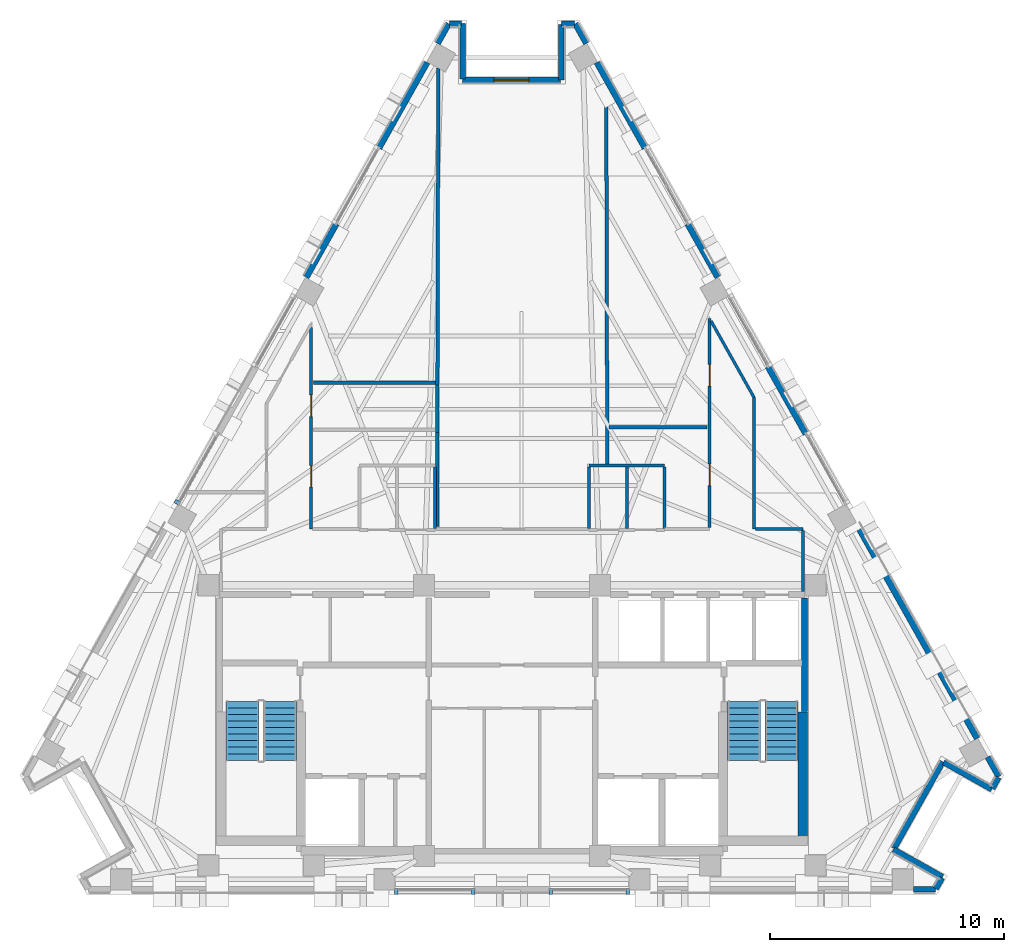
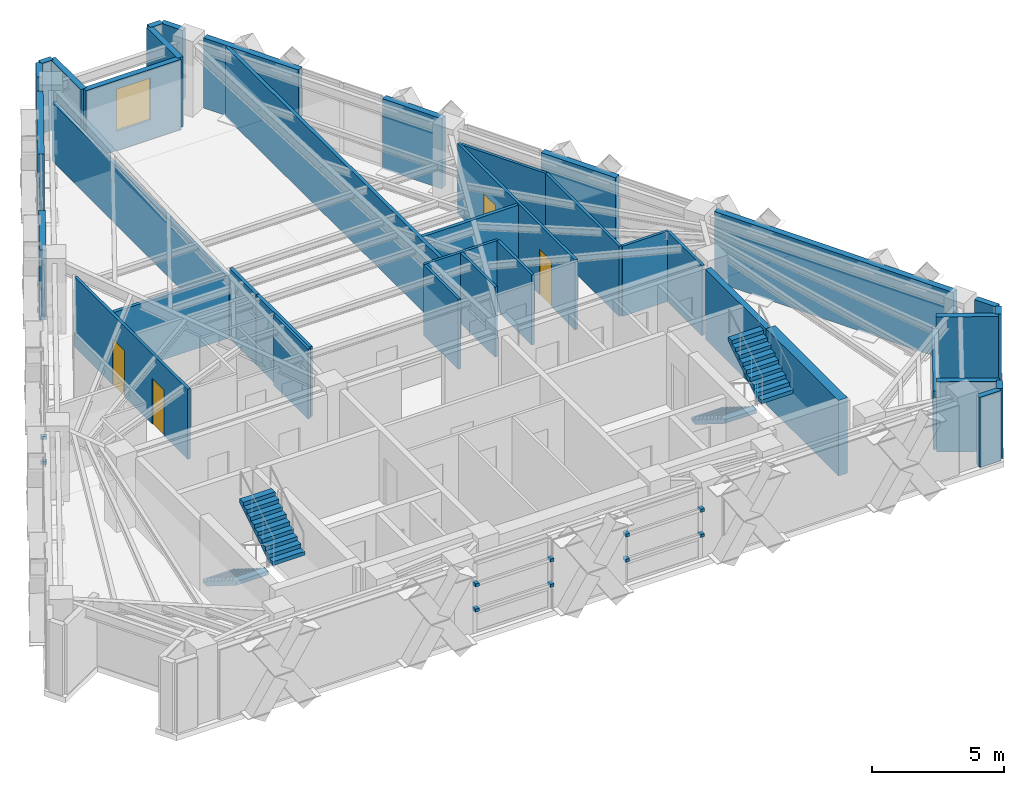
# One storey, part 9 of 13: 39 walls, 10 discrete accessories, 4 doors, 4 stair flights, 1 window, 5 openings, 2 elements without a shape of their own.
"""IFC4 building model written with IfcOpenShell, lengths in metres."""

from ifc_helpers import new_model, si_unit, direction, frame, frame_2d, origin, origin_2d, place, context, subcontext, project, spatial, polyline, rectangle, outline, extrude, material, layer, layer_set, type_object, element, fill, aggregate, save


model = new_model("IFC4")

# Units and contexts
model_context = context("Model", 3, precision=1e-05, world=origin(), true_north=direction((0.0, 1.0)))
body_context = subcontext(model_context, "Body", "Model", "MODEL_VIEW")
ifc_project = project(units=[si_unit("LENGTHUNIT", "METRE"), si_unit("AREAUNIT", "SQUARE_METRE"), si_unit("VOLUMEUNIT", "CUBIC_METRE"), si_unit("PLANEANGLEUNIT", "RADIAN"), si_unit("MASSUNIT", "GRAM", prefix="KILO")], contexts=[model_context])

# Site, building, storey
site_placement = place(None, origin())
site = spatial("IfcSite", under=ifc_project, at=site_placement, CompositionType="ELEMENT")
building_placement = place(site_placement, origin())
building = spatial("IfcBuilding", under=site, at=building_placement, Name="Quenlor Broadcast Tower", CompositionType="ELEMENT")
storey_placement = place(building_placement, frame((0.0, 0.0, 214.89990234375)))
storey = spatial("IfcBuildingStorey", under=building, at=storey_placement, Name="L59", CompositionType="ELEMENT", Elevation=214.89990234375)

# Walls
ifc_material_1 = material(Name="Acoustic Double Stud Gypsum Partition", Category="other")
ifc_layer_1 = layer(ifc_material_1, 0.14990234375)
ifc_layer_set_1 = layer_set([ifc_layer_1], Name="Broadcast Studio Acoustic Partition 150")
wall_type_1 = type_object("IfcWallType", Name="Broadcast Studio Acoustic Partition 150", PredefinedType="PARTITIONING", material=ifc_layer_set_1)
wall_1_placement = place(storey_placement, frame((-3.142822265625, 17.25439453125, 0.0), z_axis=(0.0, 0.0, 1.0), x_axis=(-0.002783390028, -0.999996126362, 0.0)))
element("IfcWall", 1, at=wall_1_placement, inside=storey, type_object=wall_type_1, Name="L59 Interior Wall PW-DV-01", PredefinedType="PARTITIONING", context=body_context, shape_type="SweptSolid", body=[
    extrude(rectangle(XDim=13.5078125, YDim=0.14990234375, at=frame_2d((6.75390625, 0.0))), origin(), (0.0, 0.0, 1.0), 2.721923828125),
])
wall_2_placement = place(storey_placement, frame((-3.257080078125, 3.846435546875, 0.0), z_axis=(0.0, 0.0, 1.0), x_axis=(-1.0, 0.0, 0.0)))
element("IfcWall", 2, at=wall_2_placement, inside=storey, type_object=wall_type_1, Name="L59 Interior Wall PW-DV-02", PredefinedType="PARTITIONING", context=body_context, shape_type="SweptSolid", body=[
    extrude(rectangle(XDim=5.202880859375, YDim=0.14990234375, at=frame_2d((2.6015625, 0.0))), origin(), (0.0, 0.0, 1.0), 2.94287109375),
])
wall_3_placement = place(storey_placement, frame((4.0205078125, 16.524169921875, 0.0), z_axis=(0.0, 0.0, 1.0), x_axis=(0.002705593265, -0.999996339876, 0.0)))
element("IfcWall", 3, at=wall_3_placement, inside=storey, type_object=wall_type_1, Name="L59 Interior Wall PW-DV-03", PredefinedType="PARTITIONING", context=body_context, shape_type="SweptSolid", body=[
    extrude(rectangle(XDim=16.152099609375, YDim=0.14990234375, at=frame_2d((8.076171875, 0.0))), origin(), (0.0, 0.0, 1.0), 3.25),
])
wall_4_placement = place(storey_placement, frame((-3.179931640625, 1.72412109375, 0.0), z_axis=(0.0, 0.0, 1.0), x_axis=(0.0, 1.0, 0.0)))
element("IfcWall", 4, at=wall_4_placement, inside=storey, type_object=wall_type_1, Name="L59 Interior Wall PW-DV-04", PredefinedType="PARTITIONING", context=body_context, shape_type="SweptSolid", body=[
    extrude(rectangle(XDim=2.020263671875, YDim=0.14990234375, at=frame_2d((1.01025390625, 0.0))), origin(), (0.0, 0.0, 1.0), 3.25),
])
wall_5_placement = place(storey_placement, frame((-3.179931640625, -2.2900390625, 0.0), z_axis=(0.0, 0.0, 1.0), x_axis=(0.0, 1.0, 0.0)))
element("IfcWall", 5, at=wall_5_placement, inside=storey, type_object=wall_type_1, Name="L59 Interior Wall PW-DV-05", PredefinedType="PARTITIONING", context=body_context, shape_type="SweptSolid", body=[
    extrude(rectangle(XDim=4.01220703125, YDim=0.14990234375, at=frame_2d((2.006103515625, 0.0))), origin(), (0.0, 0.0, 1.0), 3.25),
])
wall_6_placement = place(storey_placement, frame((8.320068359375, 1.948486328125, 0.0), z_axis=(0.0, 0.0, 1.0), x_axis=(-1.0, 0.0, 0.0)))
element("IfcWall", 6, at=wall_6_placement, inside=storey, type_object=wall_type_1, Name="L59 Interior Wall PW-DV-07", PredefinedType="PARTITIONING", context=body_context, shape_type="SweptSolid", body=[
    extrude(rectangle(XDim=4.18310546875, YDim=0.14990234375, at=frame_2d((2.091552734375, 0.0))), origin(), (0.0, 0.0, 1.0), 3.25),
])
ifc_material_2 = material(Name="Concrete C50/60", Category="concrete")
ifc_layer_2 = layer(ifc_material_2, 0.39990234375)
ifc_layer_set_2 = layer_set([ifc_layer_2], Name="Core Concrete C50/60 Shear Wall 400")
wall_type_2 = type_object("IfcWallType", Name="Core Concrete C50/60 Shear Wall 400", PredefinedType="SHEAR", material=ifc_layer_set_2)
wall_7_placement = place(storey_placement, frame((12.39990234375, -15.699951171875, 0.0), z_axis=(0.0, 0.0, 1.0), x_axis=(0.0, 1.0, 0.0)))
element("IfcWall", 7, at=wall_7_placement, inside=storey, type_object=wall_type_2, Name="L59 Core Shear Wall WF-E", PredefinedType="SHEAR", context=body_context, shape_type="SweptSolid", body=[
    extrude(rectangle(XDim=5.5, YDim=0.39990234375, at=frame_2d((2.75, 0.0))), origin(), (0.0, 0.0, 1.0), 3.5),
])
ifc_material_3 = material(Name="Concrete C40/50", Category="concrete")
ifc_layer_3 = layer(ifc_material_3, 0.25)
ifc_layer_set_3 = layer_set([ifc_layer_3], Name="Fire Rated Concrete C40/50 Core Wall 250")
wall_type_3 = type_object("IfcWallType", Name="Fire Rated Concrete C40/50 Core Wall 250", PredefinedType="PARTITIONING", material=ifc_layer_set_3)
wall_8_placement = place(storey_placement, frame((12.47998046875, -10.179931640625, 0.0), z_axis=(0.0, 0.0, 1.0), x_axis=(0.0, 1.0, 0.0)))
element("IfcWall", 8, at=wall_8_placement, inside=storey, type_object=wall_type_3, Name="L59 Interior Wall CW-ST2-E2", PredefinedType="PARTITIONING", context=body_context, shape_type="SweptSolid", body=[
    extrude(rectangle(XDim=4.83984375, YDim=0.25, at=frame_2d((2.419921875, 0.0))), origin(), (0.0, 0.0, 1.0), 3.25),
])
ifc_material_4 = material(Name="Gypsum Plasterboard Partition", Category="other")
ifc_layer_4 = layer(ifc_material_4, 0.1201171875)
ifc_layer_set_4 = layer_set([ifc_layer_4], Name="Standard Office Partition 120")
wall_type_4 = type_object("IfcWallType", Name="Standard Office Partition 120", PredefinedType="PARTITIONING", material=ifc_layer_set_4)
wall_9_placement = place(storey_placement, frame((-3.2900390625, -2.3779296875, 0.0), z_axis=(0.0, 0.0, 1.0), x_axis=(0.0, 1.0, 0.0)))
element("IfcWall", 9, at=wall_9_placement, inside=storey, type_object=wall_type_4, Name="L59 Interior Wall PW-WCW-E", PredefinedType="PARTITIONING", context=body_context, shape_type="SweptSolid", body=[
    extrude(rectangle(XDim=2.6259765625, YDim=0.1201171875, at=frame_2d((1.31298828125, 0.0))), origin(), (0.0, 0.0, 1.0), 3.25),
])
wall_10_placement = place(storey_placement, frame((3.2900390625, 0.31005859375, 0.0), z_axis=(0.0, 0.0, 1.0), x_axis=(1.0, 0.0, 0.0)))
element("IfcWall", 10, at=wall_10_placement, inside=storey, type_object=wall_type_4, Name="L59 Interior Wall PW-WCE-N", PredefinedType="PARTITIONING", context=body_context, shape_type="SweptSolid", body=[
    extrude(rectangle(XDim=3.219970703125, YDim=0.1201171875, at=frame_2d((1.60986328125, 0.0))), origin(), (0.0, 0.0, 1.0), 3.25),
])
for number, where, z_axis, x_axis, name in (
    (11, (3.2900390625, -2.3779296875, 0.0), (0.0, 0.0, 1.0), (0.0, 1.0, 0.0), "L59 Interior Wall PW-WCE-W"),
    (12, (4.89990234375, -2.3779296875, 0.0), (0.0, 0.0, 1.0), (0.0, 1.0, 0.0), "L59 Interior Wall PW-WCE-M"),
    (13, (6.510009765625, -2.3779296875, 0.0), (0.0, 0.0, 1.0), (0.0, 1.0, 0.0), "L59 Interior Wall PW-WCE-E"),
):
    element("IfcWall", number, at=place(storey_placement, frame(where, z_axis=z_axis, x_axis=x_axis)), inside=storey, type_object=wall_type_4, Name=name, PredefinedType="PARTITIONING", context=body_context, shape_type="SweptSolid", body=[
        extrude(rectangle(XDim=2.6259765625, YDim=0.1201171875, at=frame_2d((1.31298828125, 0.0))), origin(), (0.0, 0.0, 1.0), 3.25),
    ])

# Wall, openings, doors
wall_11_placement = place(storey_placement, frame((-8.570068359375, 6.20263671875, 0.0), z_axis=(0.0, 0.0, 1.0), x_axis=(0.0, -1.0, 0.0)))
wall_11 = element("IfcWall", 14, at=wall_11_placement, inside=storey, type_object=wall_type_4, Name="L59 Interior Wall PW-CR-05", PredefinedType="PARTITIONING", context=body_context, shape_type="SweptSolid", body=[
    extrude(rectangle(XDim=8.6025390625, YDim=0.1201171875, at=frame_2d((4.30126953125, 0.0))), origin(), (0.0, 0.0, 1.0), 3.25),
])
opening_1_placement = place(wall_11_placement, frame((2.886962890625, 0.0, 0.0)))
opening_1 = element("IfcOpeningElement", 15, at=opening_1_placement, cuts=wall_11, Name="Opening ID-1", PredefinedType="OPENING", context=body_context, shape_type="SweptSolid", body=[
    extrude(rectangle(XDim=0.919921875, YDim=2.1201171875, at=frame_2d((0.4599609375, 1.06005859375))), frame((0.0, 0.070068359375, 0.0), z_axis=(0.0, -1.0, 0.0), x_axis=(1.0, 0.0, 0.0)), (0.0, 0.0, 1.0), 0.14013671875),
])
opening_2_placement = place(wall_11_placement, frame((5.90087890625, 0.0, 0.0)))
opening_2 = element("IfcOpeningElement", 16, at=opening_2_placement, cuts=wall_11, Name="Opening ID-1", PredefinedType="OPENING", context=body_context, shape_type="SweptSolid", body=[
    extrude(rectangle(XDim=0.919921875, YDim=2.1201171875, at=frame_2d((0.4599609375, 1.06005859375))), frame((0.0, 0.070068359375, 0.0), z_axis=(0.0, -1.0, 0.0), x_axis=(1.0, 0.0, 0.0)), (0.0, 0.0, 1.0), 0.14013671875),
])
ifc_material_5 = material(Name="Solid Core Timber Oak", Category="wood")
door_type = type_object("IfcDoorType", Name="Single Leaf Timber Office Door 920x2120", OperationType="NOTDEFINED", PredefinedType="DOOR", material=ifc_material_5)
door_1_placement = place(opening_1_placement, origin())
door_1 = element("IfcDoor", 17, at=door_1_placement, inside=storey, type_object=door_type, Name="L59 Door DR-RM04", OperationType="SINGLE_SWING_LEFT", OverallHeight=2.1201171875, OverallWidth=0.919921875, PredefinedType="DOOR", context=body_context, shape_type="SweptSolid", body=[
    extrude(rectangle(XDim=0.919921875, YDim=2.1201171875, at=frame_2d((0.4599609375, 1.06005859375))), frame((0.0, 0.02490234375, 0.0), z_axis=(0.0, -1.0, 0.0), x_axis=(1.0, 0.0, 0.0)), (0.0, 0.0, 1.0), 0.050048828125),
])
fill(opening_1, door_1)
door_2_placement = place(opening_2_placement, origin())
door_2 = element("IfcDoor", 18, at=door_2_placement, inside=storey, type_object=door_type, Name="L59 Door DR-RM06", OperationType="SINGLE_SWING_LEFT", OverallHeight=2.1201171875, OverallWidth=0.919921875, PredefinedType="DOOR", context=body_context, shape_type="SweptSolid", body=[
    extrude(rectangle(XDim=0.919921875, YDim=2.1201171875, at=frame_2d((0.4599609375, 1.06005859375))), frame((0.0, 0.02490234375, 0.0), z_axis=(0.0, -1.0, 0.0), x_axis=(1.0, 0.0, 0.0)), (0.0, 0.0, 1.0), 0.050048828125),
])
fill(opening_2, door_2)

wall_12_placement = place(storey_placement, frame((8.429931640625, -2.337890625, 0.0), z_axis=(0.0, 0.0, 1.0), x_axis=(0.0, 1.0, 0.0)))
wall_12 = element("IfcWall", 19, at=wall_12_placement, inside=storey, type_object=wall_type_4, Name="L59 Interior Wall PW-CR-07", PredefinedType="PARTITIONING", context=body_context, shape_type="SweptSolid", body=[
    extrude(rectangle(XDim=8.916015625, YDim=0.1201171875, at=frame_2d((4.4580078125, 0.0))), origin(), (0.0, 0.0, 1.0), 3.25),
])
opening_3_placement = place(wall_12_placement, frame((6.031982421875, 0.0, 0.0)))
opening_3 = element("IfcOpeningElement", 20, at=opening_3_placement, cuts=wall_12, Name="Opening ID-1", PredefinedType="OPENING", context=body_context, shape_type="SweptSolid", body=[
    extrude(rectangle(XDim=0.919921875, YDim=2.1201171875, at=frame_2d((0.4599609375, 1.06005859375))), frame((0.0, 0.070068359375, 0.0), z_axis=(0.0, -1.0, 0.0), x_axis=(1.0, 0.0, 0.0)), (0.0, 0.0, 1.0), 0.14013671875),
])
opening_4_placement = place(wall_12_placement, frame((1.781982421875, 0.0, 0.0)))
opening_4 = element("IfcOpeningElement", 21, at=opening_4_placement, cuts=wall_12, Name="Opening ID-1", PredefinedType="OPENING", context=body_context, shape_type="SweptSolid", body=[
    extrude(rectangle(XDim=0.919921875, YDim=2.1201171875, at=frame_2d((0.4599609375, 1.06005859375))), frame((0.0, 0.070068359375, 0.0), z_axis=(0.0, -1.0, 0.0), x_axis=(1.0, 0.0, 0.0)), (0.0, 0.0, 1.0), 0.14013671875),
])
door_3_placement = place(opening_3_placement, origin())
door_3 = element("IfcDoor", 22, at=door_3_placement, inside=storey, type_object=door_type, Name="L59 Door DR-RM03", OperationType="SINGLE_SWING_RIGHT", OverallHeight=2.1201171875, OverallWidth=0.919921875, PredefinedType="DOOR", context=body_context, shape_type="SweptSolid", body=[
    extrude(rectangle(XDim=0.919921875, YDim=2.1201171875, at=frame_2d((0.4599609375, 1.06005859375))), frame((0.0, 0.02490234375, 0.0), z_axis=(0.0, -1.0, 0.0), x_axis=(1.0, 0.0, 0.0)), (0.0, 0.0, 1.0), 0.050048828125),
])
fill(opening_3, door_3)
door_4_placement = place(opening_4_placement, origin())
door_4 = element("IfcDoor", 23, at=door_4_placement, inside=storey, type_object=door_type, Name="L59 Door DR-RM07", OperationType="SINGLE_SWING_RIGHT", OverallHeight=2.1201171875, OverallWidth=0.919921875, PredefinedType="DOOR", context=body_context, shape_type="SweptSolid", body=[
    extrude(rectangle(XDim=0.919921875, YDim=2.1201171875, at=frame_2d((0.4599609375, 1.06005859375))), frame((0.0, 0.02490234375, 0.0), z_axis=(0.0, -1.0, 0.0), x_axis=(1.0, 0.0, 0.0)), (0.0, 0.0, 1.0), 0.050048828125),
])
fill(opening_4, door_4)

# Walls
wall_13_placement = place(storey_placement, frame((8.491943359375, 6.468017578125, 0.0), z_axis=(0.0, 0.0, 1.0), x_axis=(0.49025814807, -0.871577276121, 0.0)))
element("IfcWall", 24, at=wall_13_placement, inside=storey, type_object=wall_type_4, Name="L59 Interior Wall PW-CR-08", PredefinedType="PARTITIONING", context=body_context, shape_type="SweptSolid", body=[
    extrude(rectangle(XDim=3.749267578125, YDim=0.1201171875, at=frame_2d((1.87451171875, 0.0))), origin(), (0.0, 0.0, 1.0), 3.25),
])
wall_14_placement = place(storey_placement, frame((10.330078125, 3.197998046875, 0.0), z_axis=(0.0, 0.0, 1.0), x_axis=(0.0, -1.0, 0.0)))
element("IfcWall", 25, at=wall_14_placement, inside=storey, type_object=wall_type_4, Name="L59 Interior Wall PW-CR-09", PredefinedType="PARTITIONING", context=body_context, shape_type="SweptSolid", body=[
    extrude(rectangle(XDim=5.597900390625, YDim=0.1201171875, at=frame_2d((2.798828125, 0.0))), origin(), (0.0, 0.0, 1.0), 3.25),
])
wall_15_placement = place(storey_placement, frame((10.39208984375, -2.39990234375, 0.0), z_axis=(0.0, 0.0, 1.0), x_axis=(1.0, 0.0, 0.0)))
element("IfcWall", 26, at=wall_15_placement, inside=storey, type_object=wall_type_4, Name="L59 Interior Wall PW-CR-10", PredefinedType="PARTITIONING", context=body_context, shape_type="SweptSolid", body=[
    extrude(rectangle(XDim=2.017822265625, YDim=0.1201171875, at=frame_2d((1.0087890625, 0.0))), origin(), (0.0, 0.0, 1.0), 3.25),
])
wall_16_placement = place(storey_placement, frame((12.409912109375, -2.4619140625, 0.0), z_axis=(0.0, 0.0, 1.0), x_axis=(0.0, -1.0, 0.0)))
element("IfcWall", 27, at=wall_16_placement, inside=storey, type_object=wall_type_4, Name="L59 Interior Wall PW-CR-11", PredefinedType="PARTITIONING", context=body_context, shape_type="SweptSolid", body=[
    extrude(rectangle(XDim=2.611083984375, YDim=0.1201171875, at=frame_2d((1.3056640625, 0.0))), origin(), (0.0, 0.0, 1.0), 3.25),
])
ifc_material_6 = material(Name="Precast concrete C40/50", Category="concrete")
ifc_layer_5 = layer(ifc_material_6, 0.239990234375)
ifc_layer_set_5 = layer_set([ifc_layer_5], Name="Terrace Threshold Precast Concrete C40/50 Wall 240")
wall_type_5 = type_object("IfcWallType", Name="Terrace Threshold Precast Concrete C40/50 Wall 240", PredefinedType="STANDARD", material=ifc_layer_set_5)
wall_17_placement = place(storey_placement, frame((18.06591796875, -17.77490234375, 0.0), z_axis=(0.0, 0.0, 1.0), x_axis=(-1.0, 0.0, 0.0)))
element("IfcWall", 28, at=wall_17_placement, inside=storey, type_object=wall_type_5, Name="L59 Exterior Wall L59-SHD-SS0", PredefinedType="STANDARD", context=body_context, shape_type="SweptSolid", body=[
    extrude(rectangle(XDim=0.93505859375, YDim=0.239990234375, at=frame_2d((0.467529296875, 0.0))), origin(), (0.0, 0.0, 1.0), 3.25),
])
for number, where, z_axis, x_axis, name in (
    (29, (2.6953125, 19.1494140625, 0.0), (0.0, 0.0, 1.0), (0.490345412687, -0.87152818443, 0.0), "L59 Exterior Wall L59-SHD-NES0"),
    (30, (20.289794921875, -12.1298828125, 0.0), (0.0, 0.0, 1.0), (0.490345412687, -0.87152818443, 0.0), "L59 Exterior Wall L59-SHD-NES1"),
    (31, (-3.16796875, 18.309326171875, 0.0), (0.0, 0.0, 1.0), (0.490345412687, 0.87152818443, 0.0), "L59 Exterior Wall L59-SHD-NWS1"),
):
    element("IfcWall", number, at=place(storey_placement, frame(where, z_axis=z_axis, x_axis=x_axis)), inside=storey, type_object=wall_type_5, Name=name, PredefinedType="STANDARD", context=body_context, shape_type="SweptSolid", body=[
        extrude(rectangle(XDim=0.9638671875, YDim=0.239990234375, at=frame_2d((0.48193359375, 0.0))), origin(), (0.0, 0.0, 1.0), 3.25),
    ])
wall_18_placement = place(storey_placement, frame((18.365966796875, -17.246826171875, 0.0), z_axis=(0.0, 0.0, 1.0), x_axis=(-0.871597270235, 0.490222600988, 0.0)))
element("IfcWall", 32, at=wall_18_placement, inside=storey, type_object=wall_type_5, Name="L59 Exterior Wall L59-CNR-01", PredefinedType="STANDARD", context=body_context, shape_type="SweptSolid", body=[
    extrude(rectangle(XDim=2.39990234375, YDim=0.239990234375, at=frame_2d((1.199951171875, 0.0))), origin(), (0.0, 0.0, 1.0), 3.25),
])
wall_19_placement = place(storey_placement, frame((16.293701171875, -16.035400390625, 0.0), z_axis=(0.0, 0.0, 1.0), x_axis=(0.49027487746, 0.871567865706, 0.0)))
element("IfcWall", 33, at=wall_19_placement, inside=storey, type_object=wall_type_5, Name="L59 Exterior Wall L59-CNR-02", PredefinedType="STANDARD", context=body_context, shape_type="SweptSolid", body=[
    extrude(rectangle(XDim=4.249755859375, YDim=0.239990234375, at=frame_2d((2.125, 0.0))), origin(), (0.0, 0.0, 1.0), 2.721923828125),
])
wall_20_placement = place(storey_placement, frame((18.412109375, -12.351318359375, 0.0), z_axis=(0.0, 0.0, 1.0), x_axis=(0.871578299909, -0.490256327984, 0.0)))
element("IfcWall", 34, at=wall_20_placement, inside=storey, type_object=wall_type_5, Name="L59 Exterior Wall L59-CNR-03", PredefinedType="STANDARD", context=body_context, shape_type="SweptSolid", body=[
    extrude(rectangle(XDim=2.35986328125, YDim=0.239990234375, at=frame_2d((1.179931640625, 0.0))), origin(), (0.0, 0.0, 1.0), 3.25),
])
wall_21_placement = place(storey_placement, frame((20.48876953125, -13.473388671875, 0.0), z_axis=(0.0, 0.0, 1.0), x_axis=(0.490133374867, 0.87164744871, 0.0)))
element("IfcWall", 35, at=wall_21_placement, inside=storey, type_object=wall_type_5, Name="L59 Exterior Wall L59-CNR-04", PredefinedType="STANDARD", context=body_context, shape_type="SweptSolid", body=[
    extrude(rectangle(XDim=0.5439453125, YDim=0.239990234375, at=frame_2d((0.27197265625, 0.0))), origin(), (0.0, 0.0, 1.0), 3.25),
])
wall_22_placement = place(storey_placement, frame((2.658447265625, 19.152099609375, 0.0), z_axis=(0.0, 0.0, 1.0), x_axis=(-1.0, 0.0, 0.0)))
element("IfcWall", 36, at=wall_22_placement, inside=storey, type_object=wall_type_5, Name="L59 Exterior Wall L59-CNR-06", PredefinedType="STANDARD", context=body_context, shape_type="SweptSolid", body=[
    extrude(rectangle(XDim=0.55224609375, YDim=0.239990234375, at=frame_2d((0.276123046875, 0.0))), origin(), (0.0, 0.0, 1.0), 3.25),
])
wall_23_placement = place(storey_placement, frame((2.106201171875, 19.112060546875, 0.0), z_axis=(0.0, 0.0, 1.0), x_axis=(0.0, -1.0, 0.0)))
element("IfcWall", 37, at=wall_23_placement, inside=storey, type_object=wall_type_5, Name="L59 Exterior Wall L59-CNR-07", PredefinedType="STANDARD", context=body_context, shape_type="SweptSolid", body=[
    extrude(rectangle(XDim=2.360107421875, YDim=0.239990234375, at=frame_2d((1.18017578125, 0.0))), origin(), (0.0, 0.0, 1.0), 3.25),
])

# Wall, opening, window
wall_24_placement = place(storey_placement, frame((2.066162109375, 16.751953125, 0.0), z_axis=(0.0, 0.0, 1.0), x_axis=(-1.0, 0.0, 0.0)))
wall_24 = element("IfcWall", 38, at=wall_24_placement, inside=storey, type_object=wall_type_5, Name="L59 Exterior Wall L59-CNR-08", PredefinedType="STANDARD", context=body_context, shape_type="SweptSolid", body=[
    extrude(rectangle(XDim=4.17236328125, YDim=0.239990234375, at=frame_2d((2.086181640625, 0.0))), origin(), (0.0, 0.0, 1.0), 3.25),
])
opening_5_placement = place(wall_24_placement, frame((1.3359375, 0.0, 0.89990234375)))
opening_5 = element("IfcOpeningElement", 39, at=opening_5_placement, cuts=wall_24, Name="Opening WN-3", PredefinedType="OPENING", context=body_context, shape_type="SweptSolid", body=[
    extrude(rectangle(XDim=1.5, YDim=1.949951171875, at=frame_2d((0.75, 0.97509765625))), frame((0.0, 0.1298828125, 0.0), z_axis=(0.0, -1.0, 0.0), x_axis=(1.0, 0.0, 0.0)), (0.0, 0.0, 1.0), 0.260009765625),
])
ifc_material_7 = material(Name="Thermally Broken Aluminium and Low-E Glass", Category="aluminium")
window_type = type_object("IfcWindowType", Name="Upper Tower Facade Window 1500x1950", PartitioningType="SINGLE_PANEL", PredefinedType="WINDOW", material=ifc_material_7)
window_placement = place(opening_5_placement, origin())
window = element("IfcWindow", 40, at=window_placement, inside=storey, type_object=window_type, Name="L59 Corner Chamfer Window 8", OverallHeight=1.949951171875, OverallWidth=1.5, PartitioningType="SINGLE_PANEL", PredefinedType="WINDOW", context=body_context, shape_type="SweptSolid", body=[
    extrude(rectangle(XDim=1.5, YDim=1.949951171875, at=frame_2d((0.75, 0.97509765625))), frame((0.0, 0.030029296875, 0.0), z_axis=(0.0, -1.0, 0.0), x_axis=(1.0, 0.0, 0.0)), (0.0, 0.0, 1.0), 0.06005859375),
])
fill(opening_5, window)

# Walls
wall_25_placement = place(storey_placement, frame((-2.106201171875, 16.7919921875, 0.0), z_axis=(0.0, 0.0, 1.0), x_axis=(0.0, 1.0, 0.0)))
element("IfcWall", 41, at=wall_25_placement, inside=storey, type_object=wall_type_5, Name="L59 Exterior Wall L59-CNR-09", PredefinedType="STANDARD", context=body_context, shape_type="SweptSolid", body=[
    extrude(rectangle(XDim=2.360107421875, YDim=0.239990234375, at=frame_2d((1.18017578125, 0.0))), origin(), (0.0, 0.0, 1.0), 3.25),
])
wall_26_placement = place(storey_placement, frame((-2.146240234375, 19.152099609375, 0.0), z_axis=(0.0, 0.0, 1.0), x_axis=(-1.0, 0.0, 0.0)))
element("IfcWall", 42, at=wall_26_placement, inside=storey, type_object=wall_type_5, Name="L59 Exterior Wall L59-CNR-10", PredefinedType="STANDARD", context=body_context, shape_type="SweptSolid", body=[
    extrude(rectangle(XDim=0.51220703125, YDim=0.239990234375, at=frame_2d((0.256103515625, 0.0))), origin(), (0.0, 0.0, 1.0), 3.25),
])
wall_27_placement = place(storey_placement, frame((18.081298828125, -17.752685546875, 0.0), z_axis=(0.0, 0.0, 1.0), x_axis=(0.490582915772, 0.871394516136, 0.0)))
element("IfcWall", 43, at=wall_27_placement, inside=storey, type_object=wall_type_5, Name="L59 Exterior Wall L59-CNR-18", PredefinedType="STANDARD", context=body_context, shape_type="SweptSolid", body=[
    extrude(rectangle(XDim=0.54052734375, YDim=0.239990234375, at=frame_2d((0.270263671875, 0.0))), origin(), (0.0, 0.0, 1.0), 3.25),
])
ifc_material_8 = material(Name="Precast concrete C40/50", Category="concrete")
ifc_layer_6 = layer(ifc_material_8, 0.260009765625)
ifc_layer_set_6 = layer_set([ifc_layer_6], Name="Terracotta Precast Concrete C40/50 Upper Wall 260")
wall_type_6 = type_object("IfcWallType", Name="Terracotta Precast Concrete C40/50 Upper Wall 260", PredefinedType="STANDARD", material=ifc_layer_set_6)
wall_28_placement = place(storey_placement, frame((3.623779296875, 17.498779296875, 0.0), z_axis=(0.0, 0.0, 1.0), x_axis=(0.490275081837, -0.87156775074, 0.0)))
element("IfcWall", 44, at=wall_28_placement, inside=storey, type_object=wall_type_6, Name="L59 Exterior Wall L59-NEA-SP1", PredefinedType="STANDARD", context=body_context, shape_type="SweptSolid", body=[
    extrude(rectangle(XDim=4.18701171875, YDim=0.260009765625, at=frame_2d((2.093505859375, 0.0))), origin(), (0.0, 0.0, 1.0), 3.25),
])
wall_29_placement = place(storey_placement, frame((7.493896484375, 10.618408203125, 0.0), z_axis=(0.0, 0.0, 1.0), x_axis=(0.490301099378, -0.871553114818, 0.0)))
element("IfcWall", 45, at=wall_29_placement, inside=storey, type_object=wall_type_6, Name="L59 Exterior Wall L59-NEA-SP2", PredefinedType="STANDARD", context=body_context, shape_type="SweptSolid", body=[
    extrude(rectangle(XDim=2.6171875, YDim=0.260009765625, at=frame_2d((1.30859375, 0.0))), origin(), (0.0, 0.0, 1.0), 3.25),
])
wall_30_placement = place(storey_placement, frame((14.6708984375, -2.140380859375, 0.0), z_axis=(0.0, 0.0, 1.0), x_axis=(0.490246958575, -0.871583570066, 0.0)))
element("IfcWall", 46, at=wall_30_placement, inside=storey, type_object=wall_type_6, Name="L59 Exterior Wall L59-EW-NEC", PredefinedType="STANDARD", context=body_context, shape_type="SweptSolid", body=[
    extrude(rectangle(XDim=10.551513671875, YDim=0.260009765625, at=frame_2d((5.27587890625, 0.0))), origin(), (0.0, 0.0, 1.0), 3.25),
])
wall_31_placement = place(storey_placement, frame((10.923095703125, 4.522216796875, 0.0), z_axis=(0.0, 0.0, 1.0), x_axis=(0.490264765862, -0.871573553611, 0.0)))
element("IfcWall", 47, at=wall_31_placement, inside=storey, type_object=wall_type_6, Name="L59 Exterior Wall L59-NE-SP1", PredefinedType="STANDARD", context=body_context, shape_type="SweptSolid", body=[
    extrude(rectangle(XDim=3.287109375, YDim=0.260009765625, at=frame_2d((1.6435546875, 0.0))), origin(), (0.0, 0.0, 1.0), 3.25),
])
wall_32_placement = place(storey_placement, frame((-8.777099609375, 8.33740234375, 0.0), z_axis=(0.0, 0.0, 1.0), x_axis=(0.490301099378, 0.871553114818, 0.0)))
element("IfcWall", 48, at=wall_32_placement, inside=storey, type_object=wall_type_6, Name="L59 Exterior Wall L59-NWC-SP1", PredefinedType="STANDARD", context=body_context, shape_type="SweptSolid", body=[
    extrude(rectangle(XDim=2.6171875, YDim=0.260009765625, at=frame_2d((1.30859375, 0.0))), origin(), (0.0, 0.0, 1.0), 3.25),
])
wall_33_placement = place(storey_placement, frame((-5.676513671875, 13.849609375, 0.0), z_axis=(0.0, 0.0, 1.0), x_axis=(0.490275081837, 0.87156775074, 0.0)))
element("IfcWall", 49, at=wall_33_placement, inside=storey, type_object=wall_type_6, Name="L59 Exterior Wall L59-NWC-SP2", PredefinedType="STANDARD", context=body_context, shape_type="SweptSolid", body=[
    extrude(rectangle(XDim=4.18701171875, YDim=0.260009765625, at=frame_2d((2.093505859375, 0.0))), origin(), (0.0, 0.0, 1.0), 3.25),
])

# Stair, stair flights
ifc_material_9 = material(Name="Precast concrete C40/50", Category="concrete")
stair_type = type_object("IfcStairType", Name="Precast Concrete C40/50 Dogleg Stair H350", PredefinedType="HALF_TURN_STAIR", material=ifc_material_9)
stair_1_placement = place(storey_placement, origin())
stair_1 = element("IfcStair", 50, at=stair_1_placement, inside=storey, type_object=stair_type, Name="L59 West Core Fire-Isolated Exit Stair ST-1", PredefinedType="HALF_TURN_STAIR")
ifc_material_10 = material(Name="Precast concrete C40/50", Category="concrete")
ifc_layer_7 = layer(ifc_material_10, 0.159912109375)
ifc_layer_set_7 = layer_set([ifc_layer_7], Name="Precast Concrete C40/50 Stair Flight H350")
stair_flight_type = type_object("IfcStairFlightType", Name="Precast Concrete C40/50 Stair Flight H350", PredefinedType="STRAIGHT", material=ifc_layer_set_7)
stair_flight_1_placement = place(storey_placement, frame((-11.5, -9.75, 0.0), z_axis=(0.0, 0.0, 1.0), x_axis=(0.0, -1.0, 0.0)))
stair_flight_1 = element("IfcStairFlight", 51, at=stair_flight_1_placement, type_object=stair_flight_type, Name="ST-1 flight 1", NumberOfRisers=10, NumberOfTreads=9, PredefinedType="STRAIGHT", RiserHeight=0.175, TreadLength=0.28, context=body_context, shape_type="SweptSolid", body=[
    extrude(outline(polyline([(0.0, 0.0), (0.0, 0.175048828125), (0.280029296875, 0.175048828125), (0.280029296875, 0.35009765625), (0.56005859375, 0.35009765625), (0.56005859375, 0.52490234375), (0.840087890625, 0.52490234375), (0.840087890625, 0.699951171875), (1.1201171875, 0.699951171875), (1.1201171875, 0.875), (1.39990234375, 0.875), (1.39990234375, 1.050048828125), (1.679931640625, 1.050048828125), (1.679931640625, 1.22509765625), (1.9599609375, 1.22509765625), (1.9599609375, 1.39990234375), (2.239990234375, 1.39990234375), (2.239990234375, 1.574951171875), (2.52001953125, 1.574951171875), (2.52001953125, 1.75), (2.52001953125, 1.398193359375), (0.28271484375, 0.0), (0.0, 0.0)])), frame((0.0, 0.699951171875, 0.0), z_axis=(0.0, -1.0, 0.0), x_axis=(1.0, 0.0, 0.0)), (0.0, 0.0, 1.0), 1.39990234375),
])
stair_flight_2_placement = place(storey_placement, frame((-9.89990234375, -12.27001953125, 1.75), z_axis=(0.0, 0.0, 1.0), x_axis=(0.0, 1.0, 0.0)))
stair_flight_2 = element("IfcStairFlight", 52, at=stair_flight_2_placement, type_object=stair_flight_type, Name="ST-1 flight 2", NumberOfRisers=10, NumberOfTreads=9, PredefinedType="STRAIGHT", RiserHeight=0.175, TreadLength=0.28, context=body_context, shape_type="SweptSolid", body=[
    extrude(outline(polyline([(0.0, 0.0), (0.0, 0.175048828125), (0.280029296875, 0.175048828125), (0.280029296875, 0.35009765625), (0.56005859375, 0.35009765625), (0.56005859375, 0.52490234375), (0.840087890625, 0.52490234375), (0.840087890625, 0.699951171875), (1.1201171875, 0.699951171875), (1.1201171875, 0.875), (1.39990234375, 0.875), (1.39990234375, 1.050048828125), (1.679931640625, 1.050048828125), (1.679931640625, 1.22509765625), (1.9599609375, 1.22509765625), (1.9599609375, 1.39990234375), (2.239990234375, 1.39990234375), (2.239990234375, 1.574951171875), (2.52001953125, 1.574951171875), (2.52001953125, 1.75), (2.52001953125, 1.398193359375), (0.28271484375, 0.0), (0.0, 0.0)])), frame((0.0, 0.699951171875, 0.0), z_axis=(0.0, -1.0, 0.0), x_axis=(1.0, 0.0, 0.0)), (0.0, 0.0, 1.0), 1.39990234375),
])
aggregate(stair_1, [stair_flight_1, stair_flight_2])

stair_2_placement = place(storey_placement, origin())
stair_2 = element("IfcStair", 53, at=stair_2_placement, inside=storey, type_object=stair_type, Name="L59 East Core Fire-Isolated Exit Stair ST-2", PredefinedType="HALF_TURN_STAIR")
stair_flight_3_placement = place(storey_placement, frame((9.89990234375, -9.75, 0.0), z_axis=(0.0, 0.0, 1.0), x_axis=(0.0, -1.0, 0.0)))
stair_flight_3 = element("IfcStairFlight", 54, at=stair_flight_3_placement, type_object=stair_flight_type, Name="ST-2 flight 1", NumberOfRisers=10, NumberOfTreads=9, PredefinedType="STRAIGHT", RiserHeight=0.175, TreadLength=0.28, context=body_context, shape_type="SweptSolid", body=[
    extrude(outline(polyline([(0.0, 0.0), (0.0, 0.175048828125), (0.280029296875, 0.175048828125), (0.280029296875, 0.35009765625), (0.56005859375, 0.35009765625), (0.56005859375, 0.52490234375), (0.840087890625, 0.52490234375), (0.840087890625, 0.699951171875), (1.1201171875, 0.699951171875), (1.1201171875, 0.875), (1.39990234375, 0.875), (1.39990234375, 1.050048828125), (1.679931640625, 1.050048828125), (1.679931640625, 1.22509765625), (1.9599609375, 1.22509765625), (1.9599609375, 1.39990234375), (2.239990234375, 1.39990234375), (2.239990234375, 1.574951171875), (2.52001953125, 1.574951171875), (2.52001953125, 1.75), (2.52001953125, 1.398193359375), (0.28271484375, 0.0), (0.0, 0.0)])), frame((0.0, 0.699951171875, 0.0), z_axis=(0.0, -1.0, 0.0), x_axis=(1.0, 0.0, 0.0)), (0.0, 0.0, 1.0), 1.39990234375),
])
stair_flight_4_placement = place(storey_placement, frame((11.5, -12.27001953125, 1.75), z_axis=(0.0, 0.0, 1.0), x_axis=(0.0, 1.0, 0.0)))
stair_flight_4 = element("IfcStairFlight", 55, at=stair_flight_4_placement, type_object=stair_flight_type, Name="ST-2 flight 2", NumberOfRisers=10, NumberOfTreads=9, PredefinedType="STRAIGHT", RiserHeight=0.175, TreadLength=0.28, context=body_context, shape_type="SweptSolid", body=[
    extrude(outline(polyline([(0.0, 0.0), (0.0, 0.175048828125), (0.280029296875, 0.175048828125), (0.280029296875, 0.35009765625), (0.56005859375, 0.35009765625), (0.56005859375, 0.52490234375), (0.840087890625, 0.52490234375), (0.840087890625, 0.699951171875), (1.1201171875, 0.699951171875), (1.1201171875, 0.875), (1.39990234375, 0.875), (1.39990234375, 1.050048828125), (1.679931640625, 1.050048828125), (1.679931640625, 1.22509765625), (1.9599609375, 1.22509765625), (1.9599609375, 1.39990234375), (2.239990234375, 1.39990234375), (2.239990234375, 1.574951171875), (2.52001953125, 1.574951171875), (2.52001953125, 1.75), (2.52001953125, 1.398193359375), (0.28271484375, 0.0), (0.0, 0.0)])), frame((0.0, 0.699951171875, 0.0), z_axis=(0.0, -1.0, 0.0), x_axis=(1.0, 0.0, 0.0)), (0.0, 0.0, 1.0), 1.39990234375),
])
aggregate(stair_2, [stair_flight_3, stair_flight_4])

# Discrete accessories
ifc_material_11 = material(Name="Aluminium 6063-T6", Category="aluminium")
discrete_accessory_type = type_object("IfcDiscreteAccessoryType", Name="Stainless Mullion Baguette Support Bracket", PredefinedType="BRACKET", material=ifc_material_11)
for number, where, z_axis, x_axis, name in (
    (56, (4.933837890625, -17.864990234375, 1.10009765625), (0.0, 0.0, 1.0), (-1.0, 0.0, 0.0), "L59 Baguette Mullion Bracket 1.1"),
    (57, (1.655029296875, -17.864990234375, 1.10009765625), (0.0, 0.0, 1.0), (-1.0, 0.0, 0.0), "L59 Baguette Mullion Bracket 1.2"),
    (58, (4.933837890625, -17.864990234375, 2.27001953125), (0.0, 0.0, 1.0), (-1.0, 0.0, 0.0), "L59 Baguette Mullion Bracket 2.1"),
    (59, (1.655029296875, -17.864990234375, 2.27001953125), (0.0, 0.0, 1.0), (-1.0, 0.0, 0.0), "L59 Baguette Mullion Bracket 2.2"),
    (60, (-1.655029296875, -17.864990234375, 1.10009765625), (0.0, 0.0, 1.0), (-1.0, 0.0, 0.0), "L59 Baguette Mullion Bracket 1.1"),
    (61, (-4.933837890625, -17.864990234375, 1.10009765625), (0.0, 0.0, 1.0), (-1.0, 0.0, 0.0), "L59 Baguette Mullion Bracket 1.2"),
    (62, (-1.655029296875, -17.864990234375, 2.27001953125), (0.0, 0.0, 1.0), (-1.0, 0.0, 0.0), "L59 Baguette Mullion Bracket 2.1"),
    (63, (-4.933837890625, -17.864990234375, 2.27001953125), (0.0, 0.0, 1.0), (-1.0, 0.0, 0.0), "L59 Baguette Mullion Bracket 2.2"),
    (64, (-14.279296875, -1.260498046875, 1.10009765625), (0.0, 0.0, 1.0), (0.49025738277, 0.871577706599, 0.0), "L59 Baguette Mullion Bracket 1.1"),
    (65, (-14.279296875, -1.260498046875, 2.27001953125), (0.0, 0.0, 1.0), (0.49025738277, 0.871577706599, 0.0), "L59 Baguette Mullion Bracket 2.1"),
):
    element("IfcDiscreteAccessory", number, at=place(storey_placement, frame(where, z_axis=z_axis, x_axis=x_axis)), inside=storey, type_object=discrete_accessory_type, Name=name, PredefinedType="BRACKET", context=body_context, shape_type="SweptSolid", body=[
        extrude(rectangle(XDim=0.159912109375, YDim=0.239990234375, at=origin_2d()), origin(), (0.0, 0.0, 1.0), 0.139892578125),
    ])

save(model, "model.ifc")
